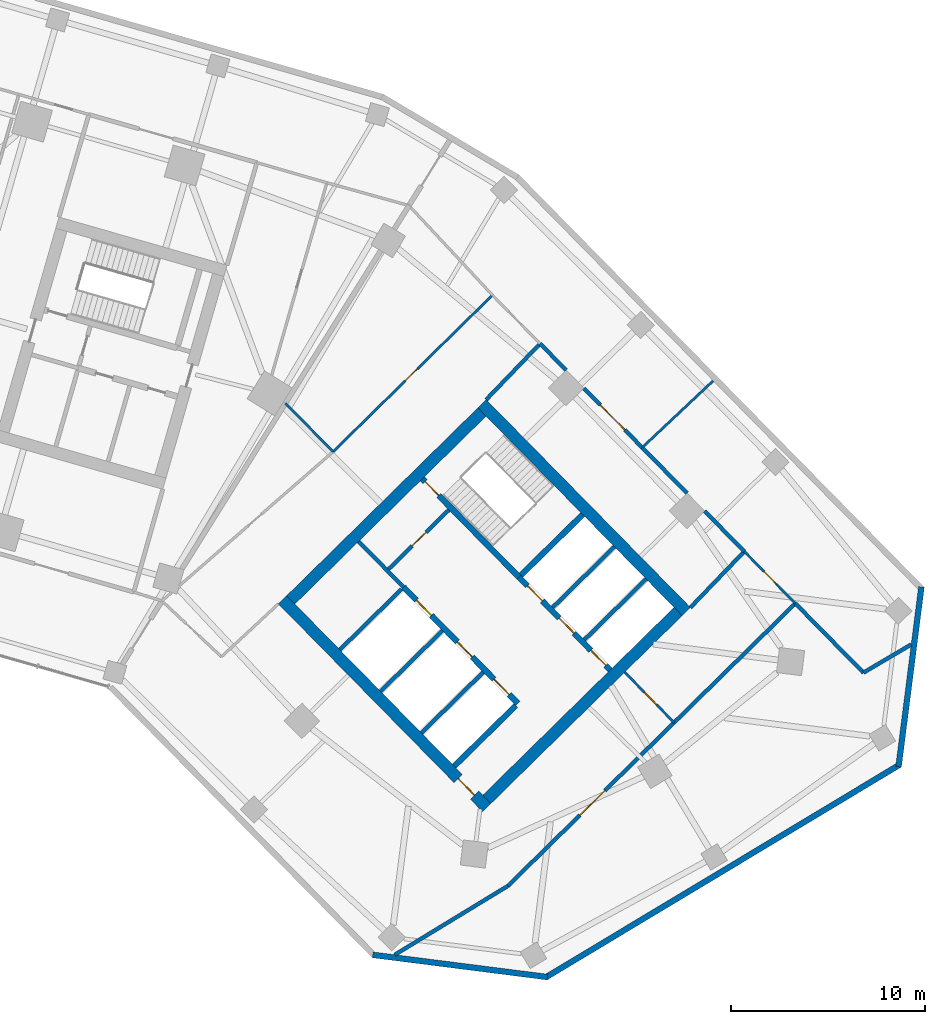
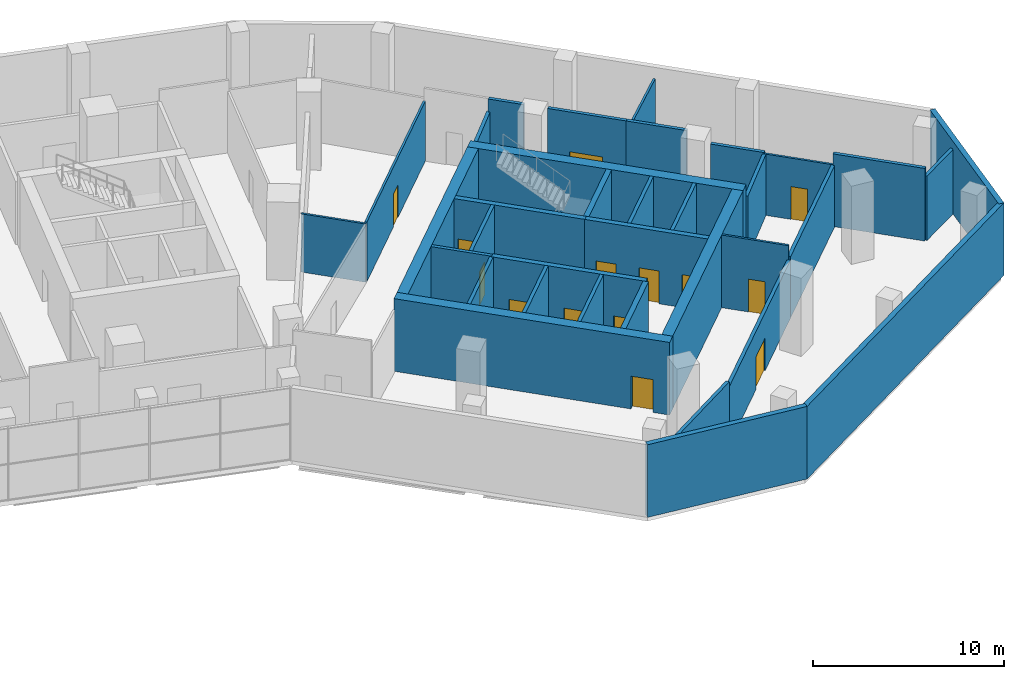
# One storey, part 11 of 15: 35 walls, 14 doors, 14 openings.
"""IFC4 building model written with IfcOpenShell, lengths in metres."""

import ifcopenshell
import ifcopenshell.guid

model = None  # the IFC model being written
_history = None  # IfcOwnerHistory: only IFC2X3 demands one
_inside = {}  # id of a spatial element -> (the spatial element, [elements in it])
_under = {}  # id of a project, library or spatial element -> (it, [spatial elements below it])
_declared = {}  # id of a project -> (the project, [libraries it declares])
_typed = {}  # id of a type object -> (the type object, [elements of that type])
_made_of = {}  # id of a material, layer set ... -> (it, [elements and type objects made of it])


def new_model(schema):
    """Start an empty IFC model of exactly this schema.

    Asked for "IFC4X3", IfcOpenShell would pick the latest addendum, in which some entities
    have other attributes; the version numbers below select the first issue.
    IFC2X3 requires an IfcOwnerHistory on every rooted entity: one is made here for all.
    """
    global model, _history
    if schema == "IFC4X3":
        model = ifcopenshell.file(schema_version=(4, 3, 0, 0))
    else:
        model = ifcopenshell.file(schema=schema)
    _inside.clear()
    _under.clear()
    _declared.clear()
    _typed.clear()
    _made_of.clear()
    _history = None
    if model.schema == "IFC2X3":
        org = make("IfcOrganization", Name="unknown")
        user = make(
            "IfcPersonAndOrganization",
            ThePerson=make("IfcPerson", FamilyName="unknown"),
            TheOrganization=org,
        )
        app = make(
            "IfcApplication",
            ApplicationDeveloper=org,
            Version="unknown",
            ApplicationFullName="unknown",
            ApplicationIdentifier="unknown",
        )
        _history = make(
            "IfcOwnerHistory",
            OwningUser=user,
            OwningApplication=app,
            ChangeAction="ADDED",
            CreationDate=0,
        )
    return model


def make(cls, **values):
    """One entity of the class cls with the attributes given. An attribute that is None is left unset."""
    return model.create_entity(
        cls, **{name: value for name, value in values.items() if value is not None}
    )


def rooted(cls, **values):
    """An entity with a GlobalId (a new one), such as an element, a storey or a relation."""
    return make(cls, GlobalId=ifcopenshell.guid.new(), OwnerHistory=_history, **values)


def si_unit(unit_type, name, prefix=None):
    """IfcSIUnit, for example si_unit("LENGTHUNIT", "METRE", prefix="MILLI")."""
    return make("IfcSIUnit", UnitType=unit_type, Prefix=prefix, Name=name)


def assignment(units):
    """IfcUnitAssignment: the units of a project."""
    return None if units is None else make("IfcUnitAssignment", Units=units)


def point(xyz):
    """IfcCartesianPoint."""
    return None if xyz is None else make("IfcCartesianPoint", Coordinates=xyz)


def direction(xyz):
    """IfcDirection."""
    return None if xyz is None else make("IfcDirection", DirectionRatios=xyz)


def frame(location, z_axis=None, x_axis=None):
    """IfcAxis2Placement3D, a coordinate frame: its origin and axes. An axis left out is left unset."""
    return make(
        "IfcAxis2Placement3D",
        Location=point(location),
        Axis=direction(z_axis),
        RefDirection=direction(x_axis),
    )


def frame_2d(location, x_axis=None):
    """IfcAxis2Placement2D, a coordinate frame in the plane: its origin and x axis."""
    return make(
        "IfcAxis2Placement2D", Location=point(location), RefDirection=direction(x_axis)
    )


def origin():
    """The frame at (0, 0, 0) with its axes left unset."""
    return frame((0.0, 0.0, 0.0))


def place(relative_to, where):
    """IfcLocalPlacement: puts the frame where relative to a parent placement (None: the world)."""
    return make(
        "IfcLocalPlacement", PlacementRelTo=relative_to, RelativePlacement=where
    )


def context(
    kind, dimensions, precision=None, world=None, true_north=None, identifier=None
):
    """IfcGeometricRepresentationContext, for example the 3D "Model" context."""
    return make(
        "IfcGeometricRepresentationContext",
        ContextIdentifier=identifier,
        ContextType=kind,
        CoordinateSpaceDimension=dimensions,
        Precision=precision,
        WorldCoordinateSystem=world,
        TrueNorth=true_north,
    )


def subcontext(parent, identifier, kind, view, scale=None):
    """IfcGeometricRepresentationSubContext, for example "Body" below "Model"."""
    return make(
        "IfcGeometricRepresentationSubContext",
        ContextIdentifier=identifier,
        ContextType=kind,
        ParentContext=parent,
        TargetScale=scale,
        TargetView=view,
    )


def project(units=None, contexts=None):
    """IfcProject with its units and contexts."""
    return rooted(
        "IfcProject",
        Name="project",
        RepresentationContexts=contexts,
        UnitsInContext=assignment(units),
    )


def spatial(cls, under=None, at=None, **own):
    """A site, building, storey or space (cls), placed at a placement, below another one or the project."""
    s = rooted(cls, ObjectPlacement=at, **own)
    if under is not None:
        _under.setdefault(under.id(), (under, []))[1].append(s)
    return s


def profile(cls, at=None, kind="AREA", **sizes):
    """A parametric profile (cls). Its sizes go by their IFC names, for example OverallWidth=200.0."""
    return make(cls, ProfileType=kind, Position=at, **sizes)


def rectangle(**sizes):
    """IfcRectangleProfileDef."""
    return profile("IfcRectangleProfileDef", **sizes)


def extrude(swept, where, along, depth):
    """IfcExtrudedAreaSolid: the profile swept, set in the frame where, extruded along a direction by depth."""
    return make(
        "IfcExtrudedAreaSolid",
        SweptArea=swept,
        Position=where,
        ExtrudedDirection=direction(along),
        Depth=depth,
    )


def shape(context_of_items, identifier, shape_type, items):
    """IfcShapeRepresentation: the items that make up one representation, for example the "Body"."""
    return make(
        "IfcShapeRepresentation",
        ContextOfItems=context_of_items,
        RepresentationIdentifier=identifier,
        RepresentationType=shape_type,
        Items=items,
    )


def material(Name=None, Category=None):
    """IfcMaterial."""
    return make("IfcMaterial", Name=Name, Category=Category)


def layer(
    of_material, thickness, ventilated=None, Name=None, Category=None, Priority=None
):
    """IfcMaterialLayer: one layer of a wall or slab, of a material (None: an air gap)."""
    return make(
        "IfcMaterialLayer",
        Material=of_material,
        LayerThickness=thickness,
        IsVentilated=ventilated,
        Name=Name,
        Category=Category,
        Priority=Priority,
    )


def layer_set(layers, Name=None):
    """IfcMaterialLayerSet."""
    return make("IfcMaterialLayerSet", MaterialLayers=layers, LayerSetName=Name)


def made_of(thing, what):
    """Note that an element or type object is made of a material, layer set ...; save() writes the relation."""
    if what is not None:
        _made_of.setdefault(what.id(), (what, []))[1].append(thing)
    return thing


def type_object(cls, material=None, **own):
    """A type object (cls), such as IfcWallType, which elements share."""
    return made_of(rooted(cls, **own), material)


def element(
    cls,
    number,
    at=None,
    inside=None,
    cuts=None,
    type_object=None,
    material=None,
    context=None,
    identifier="Body",
    shape_type=None,
    held_by="IfcProductDefinitionShape",
    body=None,
    shapes=None,
    **own,
):
    """One element of the class cls, such as IfcWall. Its Tag is "e" and its number.

    at: its placement. inside: the storey or other place that contains it. cuts: it is an
    opening in that element (IfcRelVoidsElement). A single representation is given by context,
    identifier, shape_type and body (its items); several are given by shapes. held_by: the class
    of the entity that holds the representations. save() writes the other relations.
    """
    e = rooted(cls, Tag="e%d" % number, ObjectPlacement=at, **own)
    if body is not None:
        shapes = [shape(context, identifier, shape_type, body)]
    if shapes is not None:
        e.Representation = make(held_by, Representations=shapes)
    if inside is not None:
        _inside.setdefault(inside.id(), (inside, []))[1].append(e)
    if cuts is not None:
        rooted(
            "IfcRelVoidsElement", RelatingBuildingElement=cuts, RelatedOpeningElement=e
        )
    if type_object is not None:
        _typed.setdefault(type_object.id(), (type_object, []))[1].append(e)
    return made_of(e, material)


def fill(opening, filler):
    """IfcRelFillsElement: the door or window that sits in an opening."""
    return rooted(
        "IfcRelFillsElement",
        RelatingOpeningElement=opening,
        RelatedBuildingElement=filler,
    )


def aggregate(whole, parts):
    """IfcRelAggregates: a whole, such as a stair, and the parts it consists of."""
    return rooted("IfcRelAggregates", RelatingObject=whole, RelatedObjects=parts)


def save(model, path):
    """Write the relations noted so far, then the file.

    IfcRelAggregates (storeys below a building ...), IfcRelContainedInSpatialStructure (elements
    in a storey), IfcRelDefinesByType, IfcRelAssociatesMaterial and IfcRelDeclares: one each for
    every whole, place, type object, material and project.
    """
    for whole, parts in _under.values():
        aggregate(whole, parts)
    for where, things in _inside.values():
        rooted(
            "IfcRelContainedInSpatialStructure",
            RelatedElements=things,
            RelatingStructure=where,
        )
    for kind, things in _typed.values():
        rooted("IfcRelDefinesByType", RelatedObjects=things, RelatingType=kind)
    for what, things in _made_of.values():
        rooted("IfcRelAssociatesMaterial", RelatedObjects=things, RelatingMaterial=what)
    for by, libraries in _declared.values():
        rooted("IfcRelDeclares", RelatingContext=by, RelatedDefinitions=libraries)
    model.write(path)


model = new_model("IFC4")

# Units and contexts
model_context = context("Model", 3, precision=1e-05, world=origin(), true_north=direction((0.0, 1.0)))
body_context = subcontext(model_context, "Body", "Model", "MODEL_VIEW")
ifc_project = project(units=[si_unit("LENGTHUNIT", "METRE"), si_unit("AREAUNIT", "SQUARE_METRE"), si_unit("VOLUMEUNIT", "CUBIC_METRE"), si_unit("PLANEANGLEUNIT", "RADIAN"), si_unit("MASSUNIT", "GRAM", prefix="KILO")], contexts=[model_context])

# Site, building, storey
site_placement = place(None, origin())
site = spatial("IfcSite", under=ifc_project, at=site_placement, CompositionType="ELEMENT")
building_placement = place(site_placement, origin())
building = spatial("IfcBuilding", under=site, at=building_placement, Name="Binnacle Exchange Tower", CompositionType="ELEMENT")
storey_placement = place(building_placement, frame((0.0, 0.0, 16.5)))
storey = spatial("IfcBuildingStorey", under=building, at=storey_placement, Name="L03", CompositionType="ELEMENT", Elevation=16.5)

# Wall, openings, doors
ifc_material_1 = material(Name="Concrete C70/85", Category="concrete")
ifc_layer_1 = layer(ifc_material_1, 0.300048828125)
ifc_layer_set_1 = layer_set([ifc_layer_1], Name="Core wall - front 300")
wall_type_1 = type_object("IfcWallType", Name="Core wall - front 300", PredefinedType="SOLIDWALL", material=ifc_layer_set_1)
wall_1_placement = place(storey_placement, frame((37.8740234375, 41.41552734375, 0.0), z_axis=(0.0, 0.0, 1.0), x_axis=(0.700918271237, -0.71324159795, 0.0)))
wall_1 = element("IfcWall", 1, at=wall_1_placement, inside=storey, type_object=wall_type_1, Name="Core wall CRWB3", PredefinedType="SOLIDWALL", context=body_context, shape_type="SweptSolid", body=[
    extrude(rectangle(XDim=8.39990234375, YDim=0.300048828125, at=frame_2d((4.199951171875, 0.0))), origin(), (0.0, 0.0, 1.0), 4.64990234375),
])
opening_1_placement = place(wall_1_placement, frame((0.949951171875, 0.0, 0.0)))
opening_1 = element("IfcOpeningElement", 2, at=opening_1_placement, cuts=wall_1, Name="Opening LD15", PredefinedType="OPENING", context=body_context, shape_type="SweptSolid", body=[
    extrude(rectangle(XDim=1.10009765625, YDim=2.10009765625, at=frame_2d((0.550048828125, 1.050048828125))), frame((0.0, 0.159912109375, 0.0), z_axis=(0.0, -1.0, 0.0), x_axis=(1.0, 0.0, 0.0)), (0.0, 0.0, 1.0), 0.320068359375),
])
opening_2_placement = place(wall_1_placement, frame((3.949951171875, 0.0, 0.0)))
opening_2 = element("IfcOpeningElement", 3, at=opening_2_placement, cuts=wall_1, Name="Opening LD16", PredefinedType="OPENING", context=body_context, shape_type="SweptSolid", body=[
    extrude(rectangle(XDim=1.10009765625, YDim=2.10009765625, at=frame_2d((0.550048828125, 1.050048828125))), frame((0.0, 0.159912109375, 0.0), z_axis=(0.0, -1.0, 0.0), x_axis=(1.0, 0.0, 0.0)), (0.0, 0.0, 1.0), 0.320068359375),
])
opening_3_placement = place(wall_1_placement, frame((6.64990234375, 0.0, 0.0)))
opening_3 = element("IfcOpeningElement", 4, at=opening_3_placement, cuts=wall_1, Name="Opening LD4", PredefinedType="OPENING", context=body_context, shape_type="SweptSolid", body=[
    extrude(rectangle(XDim=1.10009765625, YDim=2.10009765625, at=frame_2d((0.550048828125, 1.050048828125))), frame((0.0, 0.159912109375, 0.0), z_axis=(0.0, -1.0, 0.0), x_axis=(1.0, 0.0, 0.0)), (0.0, 0.0, 1.0), 0.320068359375),
])
ifc_material_2 = material(Name="Steel door leaf", Category="steel")
door_type_1 = type_object("IfcDoorType", Name="Fire door - lift landing 1100", OperationType="NOTDEFINED", PredefinedType="DOOR", material=ifc_material_2)
door_1_placement = place(opening_1_placement, origin())
door_1 = element("IfcDoor", 5, at=door_1_placement, inside=storey, type_object=door_type_1, Name="Landing door LD15 L03", OperationType="DOUBLE_DOOR_SLIDING", OverallHeight=2.10009765625, OverallWidth=1.10009765625, PredefinedType="DOOR", context=body_context, shape_type="SweptSolid", body=[
    extrude(rectangle(XDim=1.10009765625, YDim=2.10009765625, at=frame_2d((0.550048828125, 1.050048828125))), frame((0.0, 0.02490234375, 0.0), z_axis=(0.0, -1.0, 0.0), x_axis=(1.0, 0.0, 0.0)), (0.0, 0.0, 1.0), 0.050048828125),
])
fill(opening_1, door_1)
door_2_placement = place(opening_2_placement, origin())
door_2 = element("IfcDoor", 6, at=door_2_placement, inside=storey, type_object=door_type_1, Name="Landing door LD16 L03", OperationType="DOUBLE_DOOR_SLIDING", OverallHeight=2.10009765625, OverallWidth=1.10009765625, PredefinedType="DOOR", context=body_context, shape_type="SweptSolid", body=[
    extrude(rectangle(XDim=1.10009765625, YDim=2.10009765625, at=frame_2d((0.550048828125, 1.050048828125))), frame((0.0, 0.02490234375, 0.0), z_axis=(0.0, -1.0, 0.0), x_axis=(1.0, 0.0, 0.0)), (0.0, 0.0, 1.0), 0.050048828125),
])
fill(opening_2, door_2)
door_3_placement = place(opening_3_placement, origin())
door_3 = element("IfcDoor", 7, at=door_3_placement, inside=storey, type_object=door_type_1, Name="Landing door LD4 L03", OperationType="DOUBLE_DOOR_SLIDING", OverallHeight=2.10009765625, OverallWidth=1.10009765625, PredefinedType="DOOR", context=body_context, shape_type="SweptSolid", body=[
    extrude(rectangle(XDim=1.10009765625, YDim=2.10009765625, at=frame_2d((0.550048828125, 1.050048828125))), frame((0.0, 0.02490234375, 0.0), z_axis=(0.0, -1.0, 0.0), x_axis=(1.0, 0.0, 0.0)), (0.0, 0.0, 1.0), 0.050048828125),
])
fill(opening_3, door_3)

wall_2_placement = place(storey_placement, frame((43.818603515625, 41.92919921875, 0.0), z_axis=(0.0, 0.0, 1.0), x_axis=(0.700921619155, -0.713238307862, 0.0)))
wall_2 = element("IfcWall", 8, at=wall_2_placement, inside=storey, type_object=wall_type_1, Name="Core wall CRWB5", PredefinedType="SOLIDWALL", context=body_context, shape_type="SweptSolid", body=[
    extrude(rectangle(XDim=6.69970703125, YDim=0.300048828125, at=frame_2d((3.349853515625, 0.0))), origin(), (0.0, 0.0, 1.0), 4.64990234375),
])
opening_4_placement = place(wall_2_placement, frame((0.614990234375, 0.0, 0.0)))
opening_4 = element("IfcOpeningElement", 9, at=opening_4_placement, cuts=wall_2, Name="Opening LD1", PredefinedType="OPENING", context=body_context, shape_type="SweptSolid", body=[
    extrude(rectangle(XDim=1.10009765625, YDim=2.10009765625, at=frame_2d((0.550048828125, 1.050048828125))), frame((0.0, 0.159912109375, 0.0), z_axis=(0.0, -1.0, 0.0), x_axis=(1.0, 0.0, 0.0)), (0.0, 0.0, 1.0), 0.320068359375),
])
opening_5_placement = place(wall_2_placement, frame((2.945068359375, 0.0, 0.0)))
opening_5 = element("IfcOpeningElement", 10, at=opening_5_placement, cuts=wall_2, Name="Opening LD2", PredefinedType="OPENING", context=body_context, shape_type="SweptSolid", body=[
    extrude(rectangle(XDim=1.10009765625, YDim=2.10009765625, at=frame_2d((0.550048828125, 1.050048828125))), frame((0.0, 0.159912109375, 0.0), z_axis=(0.0, -1.0, 0.0), x_axis=(1.0, 0.0, 0.0)), (0.0, 0.0, 1.0), 0.320068359375),
])
opening_6_placement = place(wall_2_placement, frame((5.280029296875, 0.0, 0.0)))
opening_6 = element("IfcOpeningElement", 11, at=opening_6_placement, cuts=wall_2, Name="Opening LD3", PredefinedType="OPENING", context=body_context, shape_type="SweptSolid", body=[
    extrude(rectangle(XDim=1.10009765625, YDim=2.10009765625, at=frame_2d((0.550048828125, 1.050048828125))), frame((0.0, 0.159912109375, 0.0), z_axis=(0.0, -1.0, 0.0), x_axis=(1.0, 0.0, 0.0)), (0.0, 0.0, 1.0), 0.320068359375),
])
door_4_placement = place(opening_4_placement, origin())
door_4 = element("IfcDoor", 12, at=door_4_placement, inside=storey, type_object=door_type_1, Name="Landing door LD1 L03", OperationType="DOUBLE_DOOR_SLIDING", OverallHeight=2.10009765625, OverallWidth=1.10009765625, PredefinedType="DOOR", context=body_context, shape_type="SweptSolid", body=[
    extrude(rectangle(XDim=1.10009765625, YDim=2.10009765625, at=frame_2d((0.550048828125, 1.050048828125))), frame((0.0, 0.02490234375, 0.0), z_axis=(0.0, -1.0, 0.0), x_axis=(1.0, 0.0, 0.0)), (0.0, 0.0, 1.0), 0.050048828125),
])
fill(opening_4, door_4)
door_5_placement = place(opening_5_placement, origin())
door_5 = element("IfcDoor", 13, at=door_5_placement, inside=storey, type_object=door_type_1, Name="Landing door LD2 L03", OperationType="DOUBLE_DOOR_SLIDING", OverallHeight=2.10009765625, OverallWidth=1.10009765625, PredefinedType="DOOR", context=body_context, shape_type="SweptSolid", body=[
    extrude(rectangle(XDim=1.10009765625, YDim=2.10009765625, at=frame_2d((0.550048828125, 1.050048828125))), frame((0.0, 0.02490234375, 0.0), z_axis=(0.0, -1.0, 0.0), x_axis=(1.0, 0.0, 0.0)), (0.0, 0.0, 1.0), 0.050048828125),
])
fill(opening_5, door_5)
door_6_placement = place(opening_6_placement, origin())
door_6 = element("IfcDoor", 14, at=door_6_placement, inside=storey, type_object=door_type_1, Name="Landing door LD3 L03", OperationType="DOUBLE_DOOR_SLIDING", OverallHeight=2.10009765625, OverallWidth=1.10009765625, PredefinedType="DOOR", context=body_context, shape_type="SweptSolid", body=[
    extrude(rectangle(XDim=1.10009765625, YDim=2.10009765625, at=frame_2d((0.550048828125, 1.050048828125))), frame((0.0, 0.02490234375, 0.0), z_axis=(0.0, -1.0, 0.0), x_axis=(1.0, 0.0, 0.0)), (0.0, 0.0, 1.0), 0.050048828125),
])
fill(opening_6, door_6)

# Wall
wall_3_placement = place(storey_placement, frame((40.480712890625, 32.199951171875, 0.0), z_axis=(0.0, 0.0, 1.0), x_axis=(0.713251741427, 0.700907949271, 0.0)))
element("IfcWall", 15, at=wall_3_placement, inside=storey, type_object=wall_type_1, Name="Core wall CRWB14", PredefinedType="SOLIDWALL", context=body_context, shape_type="SweptSolid", body=[
    extrude(rectangle(XDim=4.4501953125, YDim=0.300048828125, at=frame_2d((2.22509765625, 0.0))), origin(), (0.0, 0.0, 1.0), 4.64990234375),
])

# Wall, opening, door
ifc_layer_2 = layer(ifc_material_1, 0.60009765625)
ifc_layer_set_2 = layer_set([ifc_layer_2], Name="Core wall - outer 600")
wall_type_2 = type_object("IfcWallType", Name="Core wall - outer 600", PredefinedType="SOLIDWALL", material=ifc_layer_set_2)
wall_4_placement = place(storey_placement, frame((31.6455078125, 40.7626953125, 0.0), z_axis=(0.0, 0.0, 1.0), x_axis=(0.700911255944, -0.713248491965, 0.0)))
wall_4 = element("IfcWall", 16, at=wall_4_placement, inside=storey, type_object=wall_type_2, Name="Core wall CRWB1", PredefinedType="SOLIDWALL", context=body_context, shape_type="SweptSolid", body=[
    extrude(rectangle(XDim=15.0, YDim=0.60009765625, at=frame_2d((7.5, 0.0))), origin(), (0.0, 0.0, 1.0), 4.64990234375),
])
opening_7_placement = place(wall_4_placement, frame((12.89990234375, 0.0, 0.0)))
opening_7 = element("IfcOpeningElement", 17, at=opening_7_placement, cuts=wall_4, Name="Opening DB7", PredefinedType="OPENING", context=body_context, shape_type="SweptSolid", body=[
    extrude(rectangle(XDim=1.199951171875, YDim=2.10009765625, at=frame_2d((0.60009765625, 1.050048828125))), frame((0.0, 0.31005859375, 0.0), z_axis=(0.0, -1.0, 0.0), x_axis=(1.0, 0.0, 0.0)), (0.0, 0.0, 1.0), 0.6201171875),
])
door_type_2 = type_object("IfcDoorType", Name="Fire door 1200", OperationType="NOTDEFINED", PredefinedType="DOOR", material=ifc_material_2)
door_7_placement = place(opening_7_placement, frame((1.199951171875, 0.0, 0.0), z_axis=(0.0, 0.0, 1.0), x_axis=(-1.0, 0.0, 0.0)))
door_7 = element("IfcDoor", 18, at=door_7_placement, inside=storey, type_object=door_type_2, Name="Lift lobby entrance door core B", OperationType="SINGLE_SWING_LEFT", OverallHeight=2.10009765625, OverallWidth=1.199951171875, PredefinedType="DOOR", context=body_context, shape_type="SweptSolid", body=[
    extrude(rectangle(XDim=1.199951171875, YDim=2.10009765625, at=frame_2d((0.60009765625, 1.050048828125))), frame((0.0, 0.02490234375, 0.0), z_axis=(0.0, -1.0, 0.0), x_axis=(1.0, 0.0, 0.0)), (0.0, 0.0, 1.0), 0.050048828125),
])
fill(opening_7, door_7)

# Walls
wall_5_placement = place(storey_placement, frame((41.91650390625, 50.855712890625, 0.0), z_axis=(0.0, 0.0, 1.0), x_axis=(0.700911255944, -0.713248491965, 0.0)))
element("IfcWall", 19, at=wall_5_placement, inside=storey, type_object=wall_type_2, Name="Core wall CRWB6", PredefinedType="SOLIDWALL", context=body_context, shape_type="SweptSolid", body=[
    extrude(rectangle(XDim=15.0, YDim=0.60009765625, at=frame_2d((7.5, 0.0))), origin(), (0.0, 0.0, 1.0), 4.64990234375),
])
for number, where, z_axis, x_axis, name in (
    (20, (32.06982421875, 40.759033203125, 0.0), (0.0, 0.0, 1.0), (0.713245344712, 0.70091445858, 0.0), "Core wall CRWB7"),
    (21, (42.1630859375, 30.48828125, 0.0), (0.0, 0.0, 1.0), (0.713245344712, 0.70091445858, 0.0), "Core wall CRWB16"),
):
    element("IfcWall", number, at=place(storey_placement, frame(where, z_axis=z_axis, x_axis=x_axis)), inside=storey, type_object=wall_type_2, Name=name, PredefinedType="SOLIDWALL", context=body_context, shape_type="SweptSolid", body=[
        extrude(rectangle(XDim=13.800048828125, YDim=0.60009765625, at=frame_2d((6.89990234375, 0.0))), origin(), (0.0, 0.0, 1.0), 4.64990234375),
    ])

# Wall, opening, door
ifc_layer_3 = layer(ifc_material_1, 0.300048828125)
ifc_layer_set_3 = layer_set([ifc_layer_3], Name="Core wall - stair 300")
wall_type_3 = type_object("IfcWallType", Name="Core wall - stair 300", PredefinedType="SOLIDWALL", material=ifc_layer_set_3)
wall_6_placement = place(storey_placement, frame((38.842041015625, 46.993408203125, 0.0), z_axis=(0.0, 0.0, 1.0), x_axis=(0.700907701701, -0.713251984713, 0.0)))
wall_6 = element("IfcWall", 22, at=wall_6_placement, inside=storey, type_object=wall_type_3, Name="Core wall CRWB4", PredefinedType="SOLIDWALL", context=body_context, shape_type="SweptSolid", body=[
    extrude(rectangle(XDim=7.10009765625, YDim=0.300048828125, at=frame_2d((3.550048828125, 0.0))), origin(), (0.0, 0.0, 1.0), 4.64990234375),
])
opening_8_placement = place(wall_6_placement, frame((0.199951171875, 0.0, 0.0)))
opening_8 = element("IfcOpeningElement", 23, at=opening_8_placement, cuts=wall_6, Name="Opening DB1", PredefinedType="OPENING", context=body_context, shape_type="SweptSolid", body=[
    extrude(rectangle(XDim=1.0, YDim=2.10009765625, at=frame_2d((0.5, 1.050048828125))), frame((0.0, 0.159912109375, 0.0), z_axis=(0.0, -1.0, 0.0), x_axis=(1.0, 0.0, 0.0)), (0.0, 0.0, 1.0), 0.320068359375),
])
door_type_3 = type_object("IfcDoorType", Name="Fire door 1000", OperationType="NOTDEFINED", PredefinedType="DOOR", material=ifc_material_2)
door_8_placement = place(opening_8_placement, origin())
door_8 = element("IfcDoor", 24, at=door_8_placement, inside=storey, type_object=door_type_3, Name="Stair door ST-B1", OperationType="SINGLE_SWING_LEFT", OverallHeight=2.10009765625, OverallWidth=1.0, PredefinedType="DOOR", context=body_context, shape_type="SweptSolid", body=[
    extrude(rectangle(XDim=1.0, YDim=2.10009765625, at=frame_2d((0.5, 1.050048828125))), frame((0.0, 0.02490234375, 0.0), z_axis=(0.0, -1.0, 0.0), x_axis=(1.0, 0.0, 0.0)), (0.0, 0.0, 1.0), 0.050048828125),
])
fill(opening_8, door_8)

# Walls
wall_7_placement = place(storey_placement, frame((43.925537109375, 42.034423828125, 0.0), z_axis=(0.0, 0.0, 1.0), x_axis=(0.713251741427, 0.700907949271, 0.0)))
element("IfcWall", 25, at=wall_7_placement, inside=storey, type_object=wall_type_3, Name="Core wall CRWB11", PredefinedType="SOLIDWALL", context=body_context, shape_type="SweptSolid", body=[
    extrude(rectangle(XDim=4.4501953125, YDim=0.300048828125, at=frame_2d((2.22509765625, 0.0))), origin(), (0.0, 0.0, 1.0), 4.64990234375),
])
ifc_material_3 = material(Name="Bronze aluminium louvre", Category="aluminium")
ifc_layer_4 = layer(ifc_material_3, 0.300048828125)
ifc_layer_set_4 = layer_set([ifc_layer_4], Name="External wall - podium louvre 300")
wall_type_4 = type_object("IfcWallType", Name="External wall - podium louvre 300", PredefinedType="STANDARD", material=ifc_layer_set_4)
wall_8_placement = place(storey_placement, frame((45.28466796875, 21.339111328125, 0.0), z_axis=(0.0, 0.0, 1.0), x_axis=(-0.992004224696, 0.126204667844, 0.0)))
element("IfcWall", 26, at=wall_8_placement, inside=storey, type_object=wall_type_4, Name="External wall EW-P09 L03", PredefinedType="STANDARD", context=body_context, shape_type="SweptSolid", body=[
    extrude(rectangle(XDim=9.06884765625, YDim=0.300048828125, at=frame_2d((4.534423828125, 0.0))), origin(), (0.0, 0.0, 1.0), 4.64990234375),
])
wall_9_placement = place(storey_placement, frame((63.432373046875, 32.28076171875, 0.0), z_axis=(0.0, 0.0, 1.0), x_axis=(-0.85716989082, -0.515033764206, 0.0)))
element("IfcWall", 27, at=wall_9_placement, inside=storey, type_object=wall_type_4, Name="External wall EW-P10 L03", PredefinedType="STANDARD", context=body_context, shape_type="SweptSolid", body=[
    extrude(rectangle(XDim=21.283935546875, YDim=0.300048828125, at=frame_2d((10.64208984375, 0.0))), origin(), (0.0, 0.0, 1.0), 4.64990234375),
])
wall_10_placement = place(storey_placement, frame((64.5380859375, 41.426025390625, 0.0), z_axis=(0.0, 0.0, 1.0), x_axis=(-0.126185920425, -0.992006609598, 0.0)))
element("IfcWall", 28, at=wall_10_placement, inside=storey, type_object=wall_type_4, Name="External wall EW-P11 L03", PredefinedType="STANDARD", context=body_context, shape_type="SweptSolid", body=[
    extrude(rectangle(XDim=9.329345703125, YDim=0.300048828125, at=frame_2d((4.66455078125, 0.0))), origin(), (0.0, 0.0, 1.0), 4.64990234375),
])
ifc_material_4 = material(Name="Masonry block wall", Category="masonry")
ifc_layer_5 = layer(ifc_material_4, 0.199951171875)
ifc_layer_set_5 = layer_set([ifc_layer_5], Name="Fire wall - block 200")
wall_type_5 = type_object("IfcWallType", Name="Fire wall - block 200", PredefinedType="PARTITIONING", material=ifc_layer_set_5)
wall_11_placement = place(storey_placement, frame((37.426025390625, 22.489990234375, 0.0), z_axis=(0.0, 0.0, 1.0), x_axis=(0.854177797602, 0.519981047812, 0.0)))
element("IfcWall", 29, at=wall_11_placement, inside=storey, type_object=wall_type_5, Name="Partition W74", PredefinedType="PARTITIONING", context=body_context, shape_type="SweptSolid", body=[
    extrude(rectangle(XDim=6.813720703125, YDim=0.199951171875, at=frame_2d((3.40673828125, 0.0))), origin(), (0.0, 0.0, 1.0), 4.02392578125),
])
wall_12_placement = place(storey_placement, frame((42.1298828125, 51.06591796875, 0.0), z_axis=(0.0, 0.0, 1.0), x_axis=(0.693124563472, 0.720817826855, 0.0)))
element("IfcWall", 30, at=wall_12_placement, inside=storey, type_object=wall_type_5, Name="Partition W77", PredefinedType="PARTITIONING", context=body_context, shape_type="SweptSolid", body=[
    extrude(rectangle(XDim=4.00244140625, YDim=0.199951171875, at=frame_2d((2.001220703125, 0.0))), origin(), (0.0, 0.0, 1.0), 3.830078125),
])

# Wall, opening, door
wall_13_placement = place(storey_placement, frame((43.24609375, 26.032958984375, 0.0), z_axis=(0.0, 0.0, 1.0), x_axis=(0.713234358052, 0.700925638349, 0.0)))
wall_13 = element("IfcWall", 31, at=wall_13_placement, inside=storey, type_object=wall_type_5, Name="Partition W79", PredefinedType="PARTITIONING", context=body_context, shape_type="SweptSolid", body=[
    extrude(rectangle(XDim=12.0, YDim=0.199951171875, at=frame_2d((6.0, 0.0))), origin(), (0.0, 0.0, 1.0), 3.718017578125),
])
opening_9_placement = place(wall_13_placement, frame((5.199951171875, 0.0, 0.0)))
opening_9 = element("IfcOpeningElement", 32, at=opening_9_placement, cuts=wall_13, Name="Opening DL03-29", PredefinedType="OPENING", context=body_context, shape_type="SweptSolid", body=[
    extrude(rectangle(XDim=1.800048828125, YDim=2.10009765625, at=frame_2d((0.89990234375, 1.050048828125))), frame((0.0, 0.10986328125, 0.0), z_axis=(0.0, -1.0, 0.0), x_axis=(1.0, 0.0, 0.0)), (0.0, 0.0, 1.0), 0.219970703125),
])
door_type_4 = type_object("IfcDoorType", Name="Fire door 1800", OperationType="NOTDEFINED", PredefinedType="DOOR", material=ifc_material_2)
door_9_placement = place(opening_9_placement, frame((1.800048828125, 0.0, 0.0), z_axis=(0.0, 0.0, 1.0), x_axis=(-1.0, 0.0, 0.0)))
door_9 = element("IfcDoor", 33, at=door_9_placement, inside=storey, type_object=door_type_4, Name="Door DL03-29", OperationType="DOUBLE_DOOR_SINGLE_SWING", OverallHeight=2.10009765625, OverallWidth=1.800048828125, PredefinedType="DOOR", context=body_context, shape_type="SweptSolid", body=[
    extrude(rectangle(XDim=1.800048828125, YDim=2.10009765625, at=frame_2d((0.89990234375, 1.050048828125))), frame((0.0, 0.02490234375, 0.0), z_axis=(0.0, -1.0, 0.0), x_axis=(1.0, 0.0, 0.0)), (0.0, 0.0, 1.0), 0.050048828125),
])
fill(opening_9, door_9)

# Wall
wall_14_placement = place(storey_placement, frame((44.904052734375, 53.950927734375, 0.0), z_axis=(0.0, 0.0, 1.0), x_axis=(0.7008501288, -0.713308556629, 0.0)))
element("IfcWall", 34, at=wall_14_placement, inside=storey, type_object=wall_type_5, Name="Partition W80", PredefinedType="PARTITIONING", context=body_context, shape_type="SweptSolid", body=[
    extrude(rectangle(XDim=1.92041015625, YDim=0.199951171875, at=frame_2d((0.960205078125, 0.0))), origin(), (0.0, 0.0, 1.0), 4.64990234375),
])

# Wall, opening, door
wall_15_placement = place(storey_placement, frame((47.162109375, 51.654052734375, 0.0), z_axis=(0.0, 0.0, 1.0), x_axis=(0.700745868246, -0.713410981228, 0.0)))
wall_15 = element("IfcWall", 35, at=wall_15_placement, inside=storey, type_object=wall_type_5, Name="Partition W81", PredefinedType="PARTITIONING", context=body_context, shape_type="SweptSolid", body=[
    extrude(rectangle(XDim=4.279296875, YDim=0.199951171875, at=frame_2d((2.1396484375, 0.0))), origin(), (0.0, 0.0, 1.0), 4.64990234375),
])
opening_10_placement = place(wall_15_placement, frame((1.199951171875, 0.0, 0.0)))
opening_10 = element("IfcOpeningElement", 36, at=opening_10_placement, cuts=wall_15, Name="Opening DL03-30", PredefinedType="OPENING", context=body_context, shape_type="SweptSolid", body=[
    extrude(rectangle(XDim=1.800048828125, YDim=2.10009765625, at=frame_2d((0.89990234375, 1.050048828125))), frame((0.0, 0.10986328125, 0.0), z_axis=(0.0, -1.0, 0.0), x_axis=(1.0, 0.0, 0.0)), (0.0, 0.0, 1.0), 0.219970703125),
])
door_10_placement = place(opening_10_placement, frame((1.800048828125, 0.0, 0.0), z_axis=(0.0, 0.0, 1.0), x_axis=(-1.0, 0.0, 0.0)))
door_10 = element("IfcDoor", 37, at=door_10_placement, inside=storey, type_object=door_type_4, Name="Door DL03-30", OperationType="DOUBLE_DOOR_SINGLE_SWING", OverallHeight=2.10009765625, OverallWidth=1.800048828125, PredefinedType="DOOR", context=body_context, shape_type="SweptSolid", body=[
    extrude(rectangle(XDim=1.800048828125, YDim=2.10009765625, at=frame_2d((0.89990234375, 1.050048828125))), frame((0.0, 0.02490234375, 0.0), z_axis=(0.0, -1.0, 0.0), x_axis=(1.0, 0.0, 0.0)), (0.0, 0.0, 1.0), 0.050048828125),
])
fill(opening_10, door_10)

# Walls
wall_16_placement = place(storey_placement, frame((50.160888671875, 48.60107421875, 0.0), z_axis=(0.0, 0.0, 1.0), x_axis=(0.701000458272, -0.713160821626, 0.0)))
element("IfcWall", 38, at=wall_16_placement, inside=storey, type_object=wall_type_5, Name="Partition W83", PredefinedType="PARTITIONING", context=body_context, shape_type="SweptSolid", body=[
    extrude(rectangle(XDim=3.29248046875, YDim=0.199951171875, at=frame_2d((1.646240234375, 0.0))), origin(), (0.0, 0.0, 1.0), 4.64990234375),
])
wall_17_placement = place(storey_placement, frame((51.804931640625, 34.444091796875, 0.0), z_axis=(0.0, 0.0, 1.0), x_axis=(0.713260075739, 0.700899468081, 0.0)))
element("IfcWall", 39, at=wall_17_placement, inside=storey, type_object=wall_type_5, Name="Partition W85", PredefinedType="PARTITIONING", context=body_context, shape_type="SweptSolid", body=[
    extrude(rectangle(XDim=8.75, YDim=0.199951171875, at=frame_2d((4.375, 0.0))), origin(), (0.0, 0.0, 1.0), 3.922119140625),
])
wall_18_placement = place(storey_placement, frame((52.64404296875, 40.366943359375, 0.0), z_axis=(0.0, 0.0, 1.0), x_axis=(0.693092868026, 0.720848303245, 0.0)))
element("IfcWall", 40, at=wall_18_placement, inside=storey, type_object=wall_type_5, Name="Partition W86", PredefinedType="PARTITIONING", context=body_context, shape_type="SweptSolid", body=[
    extrude(rectangle(XDim=4.002197265625, YDim=0.199951171875, at=frame_2d((2.0009765625, 0.0))), origin(), (0.0, 0.0, 1.0), 3.922119140625),
])
wall_19_placement = place(storey_placement, frame((53.3798828125, 45.325927734375, 0.0), z_axis=(0.0, 0.0, 1.0), x_axis=(0.700908698341, -0.71325100532, 0.0)))
element("IfcWall", 41, at=wall_19_placement, inside=storey, type_object=wall_type_5, Name="Partition W87", PredefinedType="PARTITIONING", context=body_context, shape_type="SweptSolid", body=[
    extrude(rectangle(XDim=2.90771484375, YDim=0.199951171875, at=frame_2d((1.453857421875, 0.0))), origin(), (0.0, 0.0, 1.0), 4.030029296875),
])
wall_20_placement = place(storey_placement, frame((58.0458984375, 40.576904296875, 0.0), z_axis=(0.0, 0.0, 1.0), x_axis=(0.700902402088, -0.713257192566, 0.0)))
element("IfcWall", 42, at=wall_20_placement, inside=storey, type_object=wall_type_5, Name="Partition W89", PredefinedType="PARTITIONING", context=body_context, shape_type="SweptSolid", body=[
    extrude(rectangle(XDim=4.99951171875, YDim=0.199951171875, at=frame_2d((2.499755859375, 0.0))), origin(), (0.0, 0.0, 1.0), 4.64990234375),
])
wall_21_placement = place(storey_placement, frame((61.550048828125, 37.010986328125, 0.0), z_axis=(0.0, 0.0, 1.0), x_axis=(0.86118844999, 0.508285799136, 0.0)))
element("IfcWall", 43, at=wall_21_placement, inside=storey, type_object=wall_type_5, Name="Partition W90", PredefinedType="PARTITIONING", context=body_context, shape_type="SweptSolid", body=[
    extrude(rectangle(XDim=2.8564453125, YDim=0.199951171875, at=frame_2d((1.42822265625, 0.0))), origin(), (0.0, 0.0, 1.0), 4.1240234375),
])

# Wall, opening, door
ifc_layer_6 = layer(ifc_material_4, 0.199951171875)
ifc_layer_set_6 = layer_set([ifc_layer_6], Name="Fire wall - vestibule 200")
wall_type_6 = type_object("IfcWallType", Name="Fire wall - vestibule 200", PredefinedType="PARTITIONING", material=ifc_layer_set_6)
wall_22_placement = place(storey_placement, frame((37.104248046875, 42.341552734375, 0.0), z_axis=(0.0, 0.0, 1.0), x_axis=(0.713281298468, 0.700877870428, 0.0)))
wall_22 = element("IfcWall", 44, at=wall_22_placement, inside=storey, type_object=wall_type_6, Name="Core wall CRWB8", PredefinedType="PARTITIONING", context=body_context, shape_type="SweptSolid", body=[
    extrude(rectangle(XDim=4.35009765625, YDim=0.199951171875, at=frame_2d((2.175048828125, 0.0))), origin(), (0.0, 0.0, 1.0), 4.64990234375),
])
opening_11_placement = place(wall_22_placement, frame((1.699951171875, 0.0, 0.0)))
opening_11 = element("IfcOpeningElement", 45, at=opening_11_placement, cuts=wall_22, Name="Opening DB3", PredefinedType="OPENING", context=body_context, shape_type="SweptSolid", body=[
    extrude(rectangle(XDim=1.0, YDim=2.10009765625, at=frame_2d((0.5, 1.050048828125))), frame((0.0, 0.10986328125, 0.0), z_axis=(0.0, -1.0, 0.0), x_axis=(1.0, 0.0, 0.0)), (0.0, 0.0, 1.0), 0.219970703125),
])
door_11_placement = place(opening_11_placement, origin())
door_11 = element("IfcDoor", 46, at=door_11_placement, inside=storey, type_object=door_type_3, Name="Vestibule door VEST-W", OperationType="SINGLE_SWING_RIGHT", OverallHeight=2.10009765625, OverallWidth=1.0, PredefinedType="DOOR", context=body_context, shape_type="SweptSolid", body=[
    extrude(rectangle(XDim=1.0, YDim=2.10009765625, at=frame_2d((0.5, 1.050048828125))), frame((0.0, 0.02490234375, 0.0), z_axis=(0.0, -1.0, 0.0), x_axis=(1.0, 0.0, 0.0)), (0.0, 0.0, 1.0), 0.050048828125),
])
fill(opening_11, door_11)

# Wall
ifc_material_5 = material(Name="Gypsum partition")
ifc_layer_7 = layer(ifc_material_5, 0.125)
ifc_layer_set_7 = layer_set([ifc_layer_7], Name="Partition 125")
wall_type_7 = type_object("IfcWallType", Name="Partition 125", PredefinedType="PARTITIONING", material=ifc_layer_set_7)
wall_23_placement = place(storey_placement, frame((31.794921875, 50.883056640625, 0.0), z_axis=(0.0, 0.0, 1.0), x_axis=(0.700801832867, -0.713356005828, 0.0)))
element("IfcWall", 47, at=wall_23_placement, inside=storey, type_object=wall_type_7, Name="Partition W69", PredefinedType="PARTITIONING", context=body_context, shape_type="SweptSolid", body=[
    extrude(rectangle(XDim=3.50048828125, YDim=0.125, at=frame_2d((1.750244140625, 0.0))), origin(), (0.0, 0.0, 1.0), 3.72998046875),
])

# Wall, opening, door
wall_24_placement = place(storey_placement, frame((34.248046875, 48.385986328125, 0.0), z_axis=(0.0, 0.0, 1.0), x_axis=(0.713246685355, 0.700913094349, 0.0)))
wall_24 = element("IfcWall", 48, at=wall_24_placement, inside=storey, type_object=wall_type_7, Name="Partition W72", PredefinedType="PARTITIONING", context=body_context, shape_type="SweptSolid", body=[
    extrude(rectangle(XDim=11.500732421875, YDim=0.125, at=frame_2d((5.75048828125, 0.0))), origin(), (0.0, 0.0, 1.0), 3.830078125),
])
opening_12_placement = place(wall_24_placement, frame((5.199951171875, 0.0, 0.0)))
opening_12 = element("IfcOpeningElement", 49, at=opening_12_placement, cuts=wall_24, Name="Opening DL03-27", PredefinedType="OPENING", context=body_context, shape_type="SweptSolid", body=[
    extrude(rectangle(XDim=0.89990234375, YDim=2.10009765625, at=frame_2d((0.449951171875, 1.050048828125))), frame((0.0, 0.072509765625, 0.0), z_axis=(0.0, -1.0, 0.0), x_axis=(1.0, 0.0, 0.0)), (0.0, 0.0, 1.0), 0.14501953125),
])
ifc_material_6 = material(Name="Timber door leaf", Category="wood")
door_type_5 = type_object("IfcDoorType", Name="Door 900", OperationType="NOTDEFINED", PredefinedType="DOOR", material=ifc_material_6)
door_12_placement = place(opening_12_placement, origin())
door_12 = element("IfcDoor", 50, at=door_12_placement, inside=storey, type_object=door_type_5, Name="Door DL03-27", OperationType="SINGLE_SWING_LEFT", OverallHeight=2.10009765625, OverallWidth=0.89990234375, PredefinedType="DOOR", context=body_context, shape_type="SweptSolid", body=[
    extrude(rectangle(XDim=0.89990234375, YDim=2.10009765625, at=frame_2d((0.449951171875, 1.050048828125))), frame((0.0, 0.02490234375, 0.0), z_axis=(0.0, -1.0, 0.0), x_axis=(1.0, 0.0, 0.0)), (0.0, 0.0, 1.0), 0.050048828125),
])
fill(opening_12, door_12)

wall_25_placement = place(storey_placement, frame((49.256103515625, 37.0380859375, 0.0), z_axis=(0.0, 0.0, 1.0), x_axis=(0.700869700408, -0.713289326325, 0.0)))
wall_25 = element("IfcWall", 51, at=wall_25_placement, inside=storey, type_object=wall_type_7, Name="Partition W82", PredefinedType="PARTITIONING", context=body_context, shape_type="SweptSolid", body=[
    extrude(rectangle(XDim=3.63671875, YDim=0.125, at=frame_2d((1.818359375, 0.0))), origin(), (0.0, 0.0, 1.0), 4.64990234375),
])
opening_13_placement = place(wall_25_placement, frame((1.449951171875, 0.0, 0.0)))
opening_13 = element("IfcOpeningElement", 52, at=opening_13_placement, cuts=wall_25, Name="Opening DL03-24", PredefinedType="OPENING", context=body_context, shape_type="SweptSolid", body=[
    extrude(rectangle(XDim=0.89990234375, YDim=2.10009765625, at=frame_2d((0.449951171875, 1.050048828125))), frame((0.0, 0.072509765625, 0.0), z_axis=(0.0, -1.0, 0.0), x_axis=(1.0, 0.0, 0.0)), (0.0, 0.0, 1.0), 0.14501953125),
])
door_13_placement = place(opening_13_placement, origin())
door_13 = element("IfcDoor", 53, at=door_13_placement, inside=storey, type_object=door_type_5, Name="Door DL03-24", OperationType="SINGLE_SWING_RIGHT", OverallHeight=2.10009765625, OverallWidth=0.89990234375, PredefinedType="DOOR", context=body_context, shape_type="SweptSolid", body=[
    extrude(rectangle(XDim=0.89990234375, YDim=2.10009765625, at=frame_2d((0.449951171875, 1.050048828125))), frame((0.0, 0.02490234375, 0.0), z_axis=(0.0, -1.0, 0.0), x_axis=(1.0, 0.0, 0.0)), (0.0, 0.0, 1.0), 0.050048828125),
])
fill(opening_13, door_13)

# Wall
wall_26_placement = place(storey_placement, frame((50.160888671875, 48.60107421875, 0.0), z_axis=(0.0, 0.0, 1.0), x_axis=(0.728397025051, 0.685155291811, 0.0)))
element("IfcWall", 54, at=wall_26_placement, inside=storey, type_object=wall_type_7, Name="Partition W84", PredefinedType="PARTITIONING", context=body_context, shape_type="SweptSolid", body=[
    extrude(rectangle(XDim=5.019287109375, YDim=0.125, at=frame_2d((2.509765625, 0.0))), origin(), (0.0, 0.0, 1.0), 3.929931640625),
])

# Wall, opening, door
wall_27_placement = place(storey_placement, frame((55.41796875, 43.251953125, 0.0), z_axis=(0.0, 0.0, 1.0), x_axis=(0.700796183651, -0.71336155558, 0.0)))
wall_27 = element("IfcWall", 55, at=wall_27_placement, inside=storey, type_object=wall_type_7, Name="Partition W88", PredefinedType="PARTITIONING", context=body_context, shape_type="SweptSolid", body=[
    extrude(rectangle(XDim=3.75, YDim=0.125, at=frame_2d((1.875, 0.0))), origin(), (0.0, 0.0, 1.0), 3.922119140625),
])
opening_14_placement = place(wall_27_placement, frame((1.449951171875, 0.0, 0.0)))
opening_14 = element("IfcOpeningElement", 56, at=opening_14_placement, cuts=wall_27, Name="Opening DL03-26", PredefinedType="OPENING", context=body_context, shape_type="SweptSolid", body=[
    extrude(rectangle(XDim=0.89990234375, YDim=2.10009765625, at=frame_2d((0.449951171875, 1.050048828125))), frame((0.0, 0.072509765625, 0.0), z_axis=(0.0, -1.0, 0.0), x_axis=(1.0, 0.0, 0.0)), (0.0, 0.0, 1.0), 0.14501953125),
])
door_14_placement = place(opening_14_placement, origin())
door_14 = element("IfcDoor", 57, at=door_14_placement, inside=storey, type_object=door_type_5, Name="Door DL03-26", OperationType="SINGLE_SWING_RIGHT", OverallHeight=2.10009765625, OverallWidth=0.89990234375, PredefinedType="DOOR", context=body_context, shape_type="SweptSolid", body=[
    extrude(rectangle(XDim=0.89990234375, YDim=2.10009765625, at=frame_2d((0.449951171875, 1.050048828125))), frame((0.0, 0.02490234375, 0.0), z_axis=(0.0, -1.0, 0.0), x_axis=(1.0, 0.0, 0.0)), (0.0, 0.0, 1.0), 0.050048828125),
])
fill(opening_14, door_14)

# Walls
ifc_layer_8 = layer(ifc_material_4, 0.199951171875)
ifc_layer_set_8 = layer_set([ifc_layer_8], Name="Riser wall 200")
wall_type_8 = type_object("IfcWallType", Name="Riser wall 200", PredefinedType="SOLIDWALL", material=ifc_layer_set_8)
wall_28_placement = place(storey_placement, frame((35.56103515625, 43.769287109375, 0.0), z_axis=(0.0, 0.0, 1.0), x_axis=(0.70090232736, -0.713257266, 0.0)))
element("IfcWall", 58, at=wall_28_placement, inside=storey, type_object=wall_type_8, Name="Core wall CRWB2", PredefinedType="SOLIDWALL", context=body_context, shape_type="SweptSolid", body=[
    extrude(rectangle(XDim=3.300048828125, YDim=0.199951171875, at=frame_2d((1.64990234375, 0.0))), origin(), (0.0, 0.0, 1.0), 4.64990234375),
])
wall_29_placement = place(storey_placement, frame((34.59326171875, 38.19140625, 0.0), z_axis=(0.0, 0.0, 1.0), x_axis=(0.713252216116, 0.700907466222, 0.0)))
element("IfcWall", 59, at=wall_29_placement, inside=storey, type_object=wall_type_8, Name="Core wall CRWB9", PredefinedType="SOLIDWALL", context=body_context, shape_type="SweptSolid", body=[
    extrude(rectangle(XDim=4.44970703125, YDim=0.199951171875, at=frame_2d((2.224853515625, 0.0))), origin(), (0.0, 0.0, 1.0), 4.64990234375),
])
ifc_layer_9 = layer(ifc_material_4, 0.199951171875)
ifc_layer_set_9 = layer_set([ifc_layer_9], Name="Shaft wall 200")
wall_type_9 = type_object("IfcWallType", Name="Shaft wall 200", PredefinedType="SOLIDWALL", material=ifc_layer_set_9)
for number, where, z_axis, x_axis, name in (
    (60, (36.69580078125, 36.051513671875, 0.0), (0.0, 0.0, 1.0), (0.713251741427, 0.700907949271, 0.0), "Core wall CRWB10"),
    (61, (38.798583984375, 33.911865234375, 0.0), (0.0, 0.0, 1.0), (0.713251741427, 0.700907949271, 0.0), "Core wall CRWB12"),
    (62, (45.55859375, 40.37255859375, 0.0), (0.0, 0.0, 1.0), (0.713251741427, 0.700907949271, 0.0), "Core wall CRWB13"),
    (63, (47.191650390625, 38.710693359375, 0.0), (0.0, 0.0, 1.0), (0.713251741427, 0.700907949271, 0.0), "Core wall CRWB15"),
):
    element("IfcWall", number, at=place(storey_placement, frame(where, z_axis=z_axis, x_axis=x_axis)), inside=storey, type_object=wall_type_9, Name=name, PredefinedType="SOLIDWALL", context=body_context, shape_type="SweptSolid", body=[
        extrude(rectangle(XDim=4.4501953125, YDim=0.199951171875, at=frame_2d((2.22509765625, 0.0))), origin(), (0.0, 0.0, 1.0), 4.64990234375),
    ])

save(model, "model.ifc")
